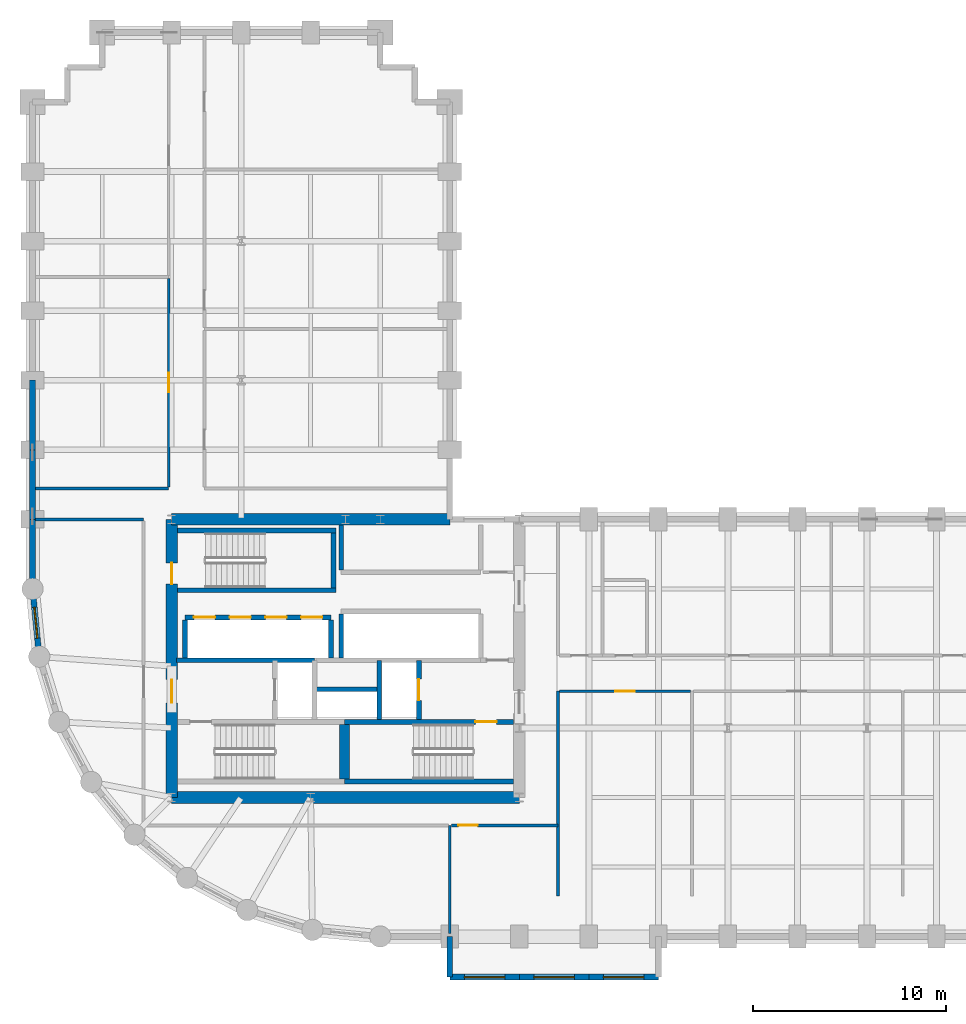
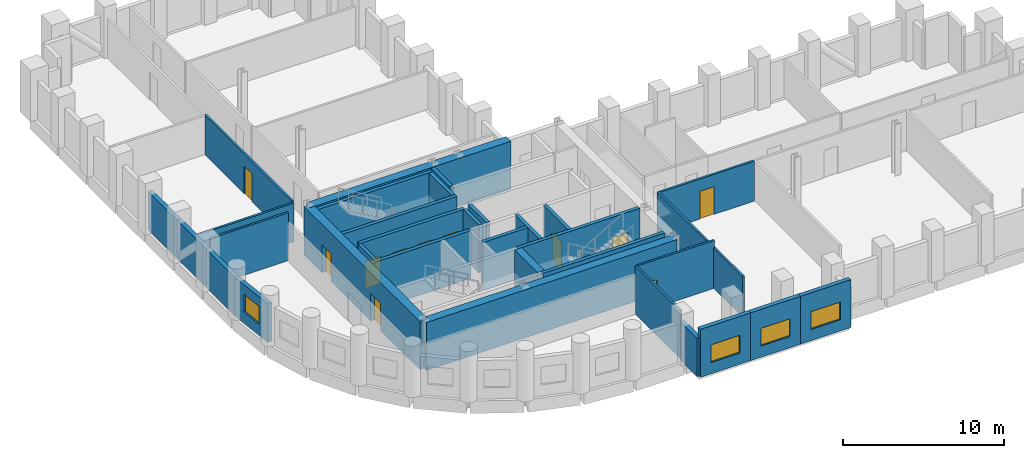
# One storey, part 6 of 9: 33 walls, 11 doors, 4 windows, 15 openings.
"""IFC4 building model written with IfcOpenShell, lengths in metres."""

from ifc_helpers import new_model, si_unit, direction, frame, frame_2d, origin, place, context, subcontext, project, spatial, rectangle, extrude, material, layer, layer_set, type_object, element, fill, save


model = new_model("IFC4")

# Units and contexts
model_context = context("Model", 3, precision=1e-05, world=origin(), true_north=direction((0.0, 1.0)))
body_context = subcontext(model_context, "Body", "Model", "MODEL_VIEW")
ifc_project = project(units=[si_unit("LENGTHUNIT", "METRE"), si_unit("AREAUNIT", "SQUARE_METRE"), si_unit("VOLUMEUNIT", "CUBIC_METRE"), si_unit("PLANEANGLEUNIT", "RADIAN"), si_unit("MASSUNIT", "GRAM", prefix="KILO")], contexts=[model_context])

# Site, building, storey
site_placement = place(None, origin())
site = spatial("IfcSite", under=ifc_project, at=site_placement, CompositionType="ELEMENT")
building_placement = place(site_placement, origin())
building = spatial("IfcBuilding", under=site, at=building_placement, Name="Solnavia Interchange Tower", CompositionType="ELEMENT")
storey_placement = place(building_placement, frame((0.0, 0.0, 59.10009765625)))
storey = spatial("IfcBuildingStorey", under=building, at=storey_placement, Name="L14", CompositionType="ELEMENT", Elevation=59.10009765625)

# Wall
ifc_material_1 = material(Name="Concrete C40/50", Category="concrete")
ifc_layer_1 = layer(ifc_material_1, 0.300048828125)
ifc_layer_set_1 = layer_set([ifc_layer_1], Name="Concrete C40/50")
wall_type_1 = type_object("IfcWallType", Name="Wall-ExtSpandrel-300", PredefinedType="STANDARD", material=ifc_layer_set_1)
wall_1_placement = place(storey_placement, frame((28.800048828125, 1.5, 0.0), z_axis=(0.0, 0.0, 1.0), x_axis=(0.0, 1.0, 0.0)))
element("IfcWall", 1, at=wall_1_placement, inside=storey, type_object=wall_type_1, Name="EXW-L14-02 Exterior precast spandrel wall", PredefinedType="STANDARD", context=body_context, shape_type="SweptSolid", body=[
    extrude(rectangle(XDim=2.10009765625, YDim=0.300048828125, at=frame_2d((1.050048828125, 0.0))), origin(), (0.0, 0.0, 1.0), 2.929931640625),
])

# Wall, opening, window
wall_2_placement = place(storey_placement, frame((32.39990234375, 1.5, 0.0), z_axis=(0.0, 0.0, 1.0), x_axis=(-1.0, 0.0, 0.0)))
wall_2 = element("IfcWall", 2, at=wall_2_placement, inside=storey, type_object=wall_type_1, Name="EXW-L14-03 Exterior precast spandrel wall", PredefinedType="STANDARD", context=body_context, shape_type="SweptSolid", body=[
    extrude(rectangle(XDim=3.599853515625, YDim=0.300048828125, at=frame_2d((1.7998046875, 0.0))), origin(), (0.0, 0.0, 1.0), 3.635009765625),
])
opening_1_placement = place(wall_2_placement, frame((0.75, 0.0, 0.85009765625)))
opening_1 = element("IfcOpeningElement", 3, at=opening_1_placement, cuts=wall_2, Name="Opening WIN-01", PredefinedType="OPENING", context=body_context, shape_type="SweptSolid", body=[
    extrude(rectangle(XDim=2.10009765625, YDim=1.35009765625, at=frame_2d((1.050048828125, 0.675048828125))), frame((0.0, 0.16015625, 0.0), z_axis=(0.0, -1.0, 0.0), x_axis=(1.0, 0.0, 0.0)), (0.0, 0.0, 1.0), 0.320068359375),
])
ifc_material_2 = material(Name="Thermal-Break Aluminium & Low-E Glass", Category="aluminium")
window_type_1 = type_object("IfcWindowType", Name="Window-Ribbon-2100x1350", PartitioningType="SINGLE_PANEL", PredefinedType="WINDOW", material=ifc_material_2)
window_1_placement = place(opening_1_placement, origin())
window_1 = element("IfcWindow", 4, at=window_1_placement, inside=storey, type_object=window_type_1, Name="WIN-L14-03 Facade ribbon window", OverallHeight=1.35009765625, OverallWidth=2.10009765625, PartitioningType="SINGLE_PANEL", PredefinedType="WINDOW", context=body_context, shape_type="SweptSolid", body=[
    extrude(rectangle(XDim=2.10009765625, YDim=1.35009765625, at=frame_2d((1.050048828125, 0.675048828125))), frame((0.0, 0.030029296875, 0.0), z_axis=(0.0, -1.0, 0.0), x_axis=(1.0, 0.0, 0.0)), (0.0, 0.0, 1.0), 0.06005859375),
])
fill(opening_1, window_1)

wall_3_placement = place(storey_placement, frame((36.0, 1.5, 0.0), z_axis=(0.0, 0.0, 1.0), x_axis=(-1.0, 0.0, 0.0)))
wall_3 = element("IfcWall", 5, at=wall_3_placement, inside=storey, type_object=wall_type_1, Name="EXW-L14-04 Exterior precast spandrel wall", PredefinedType="STANDARD", context=body_context, shape_type="SweptSolid", body=[
    extrude(rectangle(XDim=3.60009765625, YDim=0.300048828125, at=frame_2d((1.800048828125, 0.0))), origin(), (0.0, 0.0, 1.0), 3.635009765625),
])
opening_2_placement = place(wall_3_placement, frame((0.75, 0.0, 0.85009765625)))
opening_2 = element("IfcOpeningElement", 6, at=opening_2_placement, cuts=wall_3, Name="Opening WIN-01", PredefinedType="OPENING", context=body_context, shape_type="SweptSolid", body=[
    extrude(rectangle(XDim=2.10009765625, YDim=1.35009765625, at=frame_2d((1.050048828125, 0.675048828125))), frame((0.0, 0.16015625, 0.0), z_axis=(0.0, -1.0, 0.0), x_axis=(1.0, 0.0, 0.0)), (0.0, 0.0, 1.0), 0.320068359375),
])
window_2_placement = place(opening_2_placement, origin())
window_2 = element("IfcWindow", 7, at=window_2_placement, inside=storey, type_object=window_type_1, Name="WIN-L14-04 Facade ribbon window", OverallHeight=1.35009765625, OverallWidth=2.10009765625, PartitioningType="SINGLE_PANEL", PredefinedType="WINDOW", context=body_context, shape_type="SweptSolid", body=[
    extrude(rectangle(XDim=2.10009765625, YDim=1.35009765625, at=frame_2d((1.050048828125, 0.675048828125))), frame((0.0, 0.030029296875, 0.0), z_axis=(0.0, -1.0, 0.0), x_axis=(1.0, 0.0, 0.0)), (0.0, 0.0, 1.0), 0.06005859375),
])
fill(opening_2, window_2)

wall_4_placement = place(storey_placement, frame((39.60009765625, 1.5, 0.0), z_axis=(0.0, 0.0, 1.0), x_axis=(-1.0, 0.0, 0.0)))
wall_4 = element("IfcWall", 8, at=wall_4_placement, inside=storey, type_object=wall_type_1, Name="EXW-L14-05 Exterior precast spandrel wall", PredefinedType="STANDARD", context=body_context, shape_type="SweptSolid", body=[
    extrude(rectangle(XDim=3.60009765625, YDim=0.300048828125, at=frame_2d((1.800048828125, 0.0))), origin(), (0.0, 0.0, 1.0), 3.635009765625),
])
opening_3_placement = place(wall_4_placement, frame((0.75, 0.0, 0.85009765625)))
opening_3 = element("IfcOpeningElement", 9, at=opening_3_placement, cuts=wall_4, Name="Opening WIN-01", PredefinedType="OPENING", context=body_context, shape_type="SweptSolid", body=[
    extrude(rectangle(XDim=2.10009765625, YDim=1.35009765625, at=frame_2d((1.050048828125, 0.675048828125))), frame((0.0, 0.16015625, 0.0), z_axis=(0.0, -1.0, 0.0), x_axis=(1.0, 0.0, 0.0)), (0.0, 0.0, 1.0), 0.320068359375),
])
window_3_placement = place(opening_3_placement, origin())
window_3 = element("IfcWindow", 10, at=window_3_placement, inside=storey, type_object=window_type_1, Name="WIN-L14-05 Facade ribbon window", OverallHeight=1.35009765625, OverallWidth=2.10009765625, PartitioningType="SINGLE_PANEL", PredefinedType="WINDOW", context=body_context, shape_type="SweptSolid", body=[
    extrude(rectangle(XDim=2.10009765625, YDim=1.35009765625, at=frame_2d((1.050048828125, 0.675048828125))), frame((0.0, 0.030029296875, 0.0), z_axis=(0.0, -1.0, 0.0), x_axis=(1.0, 0.0, 0.0)), (0.0, 0.0, 1.0), 0.06005859375),
])
fill(opening_3, window_3)

# Walls
wall_5_placement = place(storey_placement, frame((7.199951171875, 28.800048828125, 0.0), z_axis=(0.0, 0.0, 1.0), x_axis=(0.0, 1.0, 0.0)))
element("IfcWall", 11, at=wall_5_placement, inside=storey, type_object=wall_type_1, Name="EXW-L14-54 Exterior precast spandrel wall", PredefinedType="STANDARD", context=body_context, shape_type="SweptSolid", body=[
    extrude(rectangle(XDim=3.599853515625, YDim=0.300048828125, at=frame_2d((1.7998046875, 0.0))), origin(), (0.0, 0.0, 1.0), 2.929931640625),
])
wall_6_placement = place(storey_placement, frame((7.199951171875, 25.199951171875, 0.0), z_axis=(0.0, 0.0, 1.0), x_axis=(0.0, 1.0, 0.0)))
element("IfcWall", 12, at=wall_6_placement, inside=storey, type_object=wall_type_1, Name="EXW-L14-55 Exterior precast spandrel wall", PredefinedType="STANDARD", context=body_context, shape_type="SweptSolid", body=[
    extrude(rectangle(XDim=3.60009765625, YDim=0.300048828125, at=frame_2d((1.800048828125, 0.0))), origin(), (0.0, 0.0, 1.0), 2.929931640625),
])
wall_7_placement = place(storey_placement, frame((7.199951171875, 21.60009765625, 0.0), z_axis=(0.0, 0.0, 1.0), x_axis=(0.0, 1.0, 0.0)))
element("IfcWall", 13, at=wall_7_placement, inside=storey, type_object=wall_type_1, Name="EXW-L14-56 Exterior precast spandrel wall", PredefinedType="STANDARD", context=body_context, shape_type="SweptSolid", body=[
    extrude(rectangle(XDim=3.599853515625, YDim=0.300048828125, at=frame_2d((1.7998046875, 0.0))), origin(), (0.0, 0.0, 1.0), 2.929931640625),
])

# Wall, opening, window
wall_8_placement = place(storey_placement, frame((7.5458984375, 18.087890625, 0.0), z_axis=(0.0, 0.0, 1.0), x_axis=(-0.09802417461, 0.995184033831, 0.0)))
wall_8 = element("IfcWall", 14, at=wall_8_placement, inside=storey, type_object=wall_type_1, Name="EXW-L14-57 Exterior precast spandrel wall", PredefinedType="STANDARD", context=body_context, shape_type="SweptSolid", body=[
    extrude(rectangle(XDim=3.529296875, YDim=0.300048828125, at=frame_2d((1.7646484375, 0.0))), origin(), (0.0, 0.0, 1.0), 2.929931640625),
])
opening_4_placement = place(wall_8_placement, frame((0.965087890625, 0.0, 0.85009765625)))
opening_4 = element("IfcOpeningElement", 15, at=opening_4_placement, cuts=wall_8, Name="Opening WIN-04", PredefinedType="OPENING", context=body_context, shape_type="SweptSolid", body=[
    extrude(rectangle(XDim=1.60009765625, YDim=1.35009765625, at=frame_2d((0.800048828125, 0.675048828125))), frame((0.0, 0.16015625, 0.0), z_axis=(0.0, -1.0, 0.0), x_axis=(1.0, 0.0, 0.0)), (0.0, 0.0, 1.0), 0.320068359375),
])
window_type_2 = type_object("IfcWindowType", Name="Window-Drum-1600x1350", PartitioningType="SINGLE_PANEL", PredefinedType="WINDOW", material=ifc_material_2)
window_4_placement = place(opening_4_placement, origin())
window_4 = element("IfcWindow", 16, at=window_4_placement, inside=storey, type_object=window_type_2, Name="WIN-L14-57 Facade ribbon window", OverallHeight=1.35009765625, OverallWidth=1.60009765625, PartitioningType="SINGLE_PANEL", PredefinedType="WINDOW", context=body_context, shape_type="SweptSolid", body=[
    extrude(rectangle(XDim=1.60009765625, YDim=1.35009765625, at=frame_2d((0.800048828125, 0.675048828125))), frame((0.0, 0.030029296875, 0.0), z_axis=(0.0, -1.0, 0.0), x_axis=(1.0, 0.0, 0.0)), (0.0, 0.0, 1.0), 0.06005859375),
])
fill(opening_4, window_4)

# Walls
ifc_material_3 = material(Name="Gypsum Plasterboard & Steel Stud", Category="steel")
ifc_layer_2 = layer(ifc_material_3, 0.14990234375)
ifc_layer_set_2 = layer_set([ifc_layer_2], Name="Gypsum Plasterboard & Steel Stud")
wall_type_2 = type_object("IfcWallType", Name="Wall-Partition-150", PredefinedType="PARTITIONING", material=ifc_layer_set_2)
wall_9_placement = place(storey_placement, frame((7.35400390625, 25.199951171875, 0.0), z_axis=(0.0, 0.0, 1.0), x_axis=(1.0, 0.0, 0.0)))
element("IfcWall", 17, at=wall_9_placement, inside=storey, type_object=wall_type_2, Name="PTW-L14-07 Interior partition wall", PredefinedType="PARTITIONING", context=body_context, shape_type="SweptSolid", body=[
    extrude(rectangle(XDim=5.595947265625, YDim=0.14990234375, at=frame_2d((2.7978515625, 0.0))), origin(), (0.0, 0.0, 1.0), 3.635009765625),
])
wall_10_placement = place(storey_placement, frame((28.800048828125, 9.35009765625, 0.0), z_axis=(0.0, 0.0, 1.0), x_axis=(0.0, -1.0, 0.0)))
element("IfcWall", 18, at=wall_10_placement, inside=storey, type_object=wall_type_2, Name="PTW-L14-08 Interior partition wall", PredefinedType="PARTITIONING", context=body_context, shape_type="SweptSolid", body=[
    extrude(rectangle(XDim=5.59619140625, YDim=0.14990234375, at=frame_2d((2.798095703125, 0.0))), origin(), (0.0, 0.0, 1.0), 3.635009765625),
])

# Wall, opening, door
wall_11_placement = place(storey_placement, frame((28.87890625, 9.35009765625, 0.0), z_axis=(0.0, 0.0, 1.0), x_axis=(1.0, 0.0, 0.0)))
wall_11 = element("IfcWall", 19, at=wall_11_placement, inside=storey, type_object=wall_type_2, Name="PTW-L14-11 Interior partition wall", PredefinedType="PARTITIONING", context=body_context, shape_type="SweptSolid", body=[
    extrude(rectangle(XDim=5.52099609375, YDim=0.14990234375, at=frame_2d((2.760498046875, 0.0))), origin(), (0.0, 0.0, 1.0), 3.635009765625),
])
opening_5_placement = place(wall_11_placement, frame((0.360107421875, 0.0, 0.0)))
opening_5 = element("IfcOpeningElement", 20, at=opening_5_placement, cuts=wall_11, Name="Opening DR-07", PredefinedType="OPENING", context=body_context, shape_type="SweptSolid", body=[
    extrude(rectangle(XDim=1.0, YDim=2.10009765625, at=frame_2d((0.5, 1.050048828125))), frame((0.0, 0.0849609375, 0.0), z_axis=(0.0, -1.0, 0.0), x_axis=(1.0, 0.0, 0.0)), (0.0, 0.0, 1.0), 0.169921875),
])
ifc_material_4 = material(Name="Timber & Acoustic Glazed Office Door", Category="wood")
door_type_1 = type_object("IfcDoorType", Name="Door-Office-1000x2100", OperationType="SINGLE_SWING_RIGHT", PredefinedType="DOOR", material=ifc_material_4)
door_1_placement = place(opening_5_placement, origin())
door_1 = element("IfcDoor", 21, at=door_1_placement, inside=storey, type_object=door_type_1, Name="DR-L14-04 Interior room door", OperationType="SINGLE_SWING_LEFT", OverallHeight=2.10009765625, OverallWidth=1.0, PredefinedType="DOOR", context=body_context, shape_type="SweptSolid", body=[
    extrude(rectangle(XDim=1.0, YDim=2.10009765625, at=frame_2d((0.5, 1.050048828125))), frame((0.0, 0.02490234375, 0.0), z_axis=(0.0, -1.0, 0.0), x_axis=(1.0, 0.0, 0.0)), (0.0, 0.0, 1.0), 0.050048828125),
])
fill(opening_5, door_1)

# Wall
wall_12_placement = place(storey_placement, frame((34.39990234375, 5.699951171875, 0.0), z_axis=(0.0, 0.0, 1.0), x_axis=(0.0, 1.0, 0.0)))
element("IfcWall", 22, at=wall_12_placement, inside=storey, type_object=wall_type_2, Name="PTW-L14-12 Interior partition wall", PredefinedType="PARTITIONING", context=body_context, shape_type="SweptSolid", body=[
    extrude(rectangle(XDim=10.60009765625, YDim=0.14990234375, at=frame_2d((5.300048828125, 0.0))), origin(), (0.0, 0.0, 1.0), 3.079833984375),
])

# Wall, opening, door
wall_13_placement = place(storey_placement, frame((34.47900390625, 16.300048828125, 0.0), z_axis=(0.0, 0.0, 1.0), x_axis=(1.0, 0.0, 0.0)))
wall_13 = element("IfcWall", 23, at=wall_13_placement, inside=storey, type_object=wall_type_2, Name="PTW-L14-14 Interior partition wall", PredefinedType="PARTITIONING", context=body_context, shape_type="SweptSolid", body=[
    extrude(rectangle(XDim=6.7919921875, YDim=0.14990234375, at=frame_2d((3.39599609375, 0.0))), origin(), (0.0, 0.0, 1.0), 3.039794921875),
])
opening_6_placement = place(wall_13_placement, frame((2.89599609375, 0.0, 0.0)))
opening_6 = element("IfcOpeningElement", 24, at=opening_6_placement, cuts=wall_13, Name="Opening DR-07", PredefinedType="OPENING", context=body_context, shape_type="SweptSolid", body=[
    extrude(rectangle(XDim=1.0, YDim=2.10009765625, at=frame_2d((0.5, 1.050048828125))), frame((0.0, 0.0849609375, 0.0), z_axis=(0.0, -1.0, 0.0), x_axis=(1.0, 0.0, 0.0)), (0.0, 0.0, 1.0), 0.169921875),
])
door_2_placement = place(opening_6_placement, origin())
door_2 = element("IfcDoor", 25, at=door_2_placement, inside=storey, type_object=door_type_1, Name="DR-L14-05 Interior room door", OperationType="SINGLE_SWING_LEFT", OverallHeight=2.10009765625, OverallWidth=1.0, PredefinedType="DOOR", context=body_context, shape_type="SweptSolid", body=[
    extrude(rectangle(XDim=1.0, YDim=2.10009765625, at=frame_2d((0.5, 1.050048828125))), frame((0.0, 0.02490234375, 0.0), z_axis=(0.0, -1.0, 0.0), x_axis=(1.0, 0.0, 0.0)), (0.0, 0.0, 1.0), 0.050048828125),
])
fill(opening_6, door_2)

# Wall
wall_14_placement = place(storey_placement, frame((7.35400390625, 26.800048828125, 0.0), z_axis=(0.0, 0.0, 1.0), x_axis=(1.0, 0.0, 0.0)))
element("IfcWall", 26, at=wall_14_placement, inside=storey, type_object=wall_type_2, Name="PTW-L14-21 Interior partition wall", PredefinedType="PARTITIONING", context=body_context, shape_type="SweptSolid", body=[
    extrude(rectangle(XDim=6.89599609375, YDim=0.14990234375, at=frame_2d((3.447998046875, 0.0))), origin(), (0.0, 0.0, 1.0), 2.929931640625),
])

# Wall, opening, door
wall_15_placement = place(storey_placement, frame((14.25, 26.87890625, 0.0), z_axis=(0.0, 0.0, 1.0), x_axis=(0.0, 1.0, 0.0)))
wall_15 = element("IfcWall", 27, at=wall_15_placement, inside=storey, type_object=wall_type_2, Name="PTW-L14-23 Interior partition wall", PredefinedType="PARTITIONING", context=body_context, shape_type="SweptSolid", body=[
    extrude(rectangle(XDim=10.7919921875, YDim=0.14990234375, at=frame_2d((5.39599609375, 0.0))), origin(), (0.0, 0.0, 1.0), 3.02978515625),
])
opening_7_placement = place(wall_15_placement, frame((4.89599609375, 0.0, 0.0)))
opening_7 = element("IfcOpeningElement", 28, at=opening_7_placement, cuts=wall_15, Name="Opening DR-07", PredefinedType="OPENING", context=body_context, shape_type="SweptSolid", body=[
    extrude(rectangle(XDim=1.0, YDim=2.10009765625, at=frame_2d((0.5, 1.050048828125))), frame((0.0, 0.0849609375, 0.0), z_axis=(0.0, -1.0, 0.0), x_axis=(1.0, 0.0, 0.0)), (0.0, 0.0, 1.0), 0.169921875),
])
door_3_placement = place(opening_7_placement, origin())
door_3 = element("IfcDoor", 29, at=door_3_placement, inside=storey, type_object=door_type_1, Name="DR-L14-10 Interior room door", OperationType="SINGLE_SWING_RIGHT", OverallHeight=2.10009765625, OverallWidth=1.0, PredefinedType="DOOR", context=body_context, shape_type="SweptSolid", body=[
    extrude(rectangle(XDim=1.0, YDim=2.10009765625, at=frame_2d((0.5, 1.050048828125))), frame((0.0, 0.02490234375, 0.0), z_axis=(0.0, -1.0, 0.0), x_axis=(1.0, 0.0, 0.0)), (0.0, 0.0, 1.0), 0.050048828125),
])
fill(opening_7, door_3)

# Wall
ifc_layer_3 = layer(ifc_material_1, 0.25)
ifc_layer_set_3 = layer_set([ifc_layer_3], Name="Concrete C40/50")
wall_type_3 = type_object("IfcWallType", Name="Wall-ShaftCore-250", PredefinedType="SHEAR", material=ifc_layer_set_3)
wall_16_placement = place(storey_placement, frame((23.35009765625, 11.625, 0.0), z_axis=(0.0, 0.0, 1.0), x_axis=(1.0, 0.0, 0.0)))
element("IfcWall", 30, at=wall_16_placement, inside=storey, type_object=wall_type_3, Name="SHW-L14-ST2S Core shear wall", PredefinedType="SHEAR", context=body_context, shape_type="SweptSolid", body=[
    extrude(rectangle(XDim=8.75, YDim=0.25, at=frame_2d((4.375, 0.0))), origin(), (0.0, 0.0, 1.0), 3.64990234375),
])

# Wall, opening, door
wall_17_placement = place(storey_placement, frame((23.35009765625, 14.715087890625, 0.0), z_axis=(0.0, 0.0, 1.0), x_axis=(1.0, 0.0, 0.0)))
wall_17 = element("IfcWall", 31, at=wall_17_placement, inside=storey, type_object=wall_type_3, Name="SHW-L14-ST2N Core shear wall", PredefinedType="SHEAR", context=body_context, shape_type="SweptSolid", body=[
    extrude(rectangle(XDim=8.75, YDim=0.25, at=frame_2d((4.375, 0.0))), origin(), (0.0, 0.0, 1.0), 3.64990234375),
])
opening_8_placement = place(wall_17_placement, frame((6.77490234375, 0.0, 0.0)))
opening_8 = element("IfcOpeningElement", 32, at=opening_8_placement, cuts=wall_17, Name="Opening DR-01", PredefinedType="OPENING", context=body_context, shape_type="SweptSolid", body=[
    extrude(rectangle(XDim=1.10009765625, YDim=2.10009765625, at=frame_2d((0.550048828125, 1.050048828125))), frame((0.0, 0.135009765625, 0.0), z_axis=(0.0, -1.0, 0.0), x_axis=(1.0, 0.0, 0.0)), (0.0, 0.0, 1.0), 0.27001953125),
])
ifc_material_5 = material(Name="Steel Fire-Rated Leaf & Frame", Category="steel")
door_type_2 = type_object("IfcDoorType", Name="Door-StairFire-1100x2100", OperationType="SINGLE_SWING_LEFT", PredefinedType="DOOR", material=ifc_material_5)
door_4_placement = place(opening_8_placement, origin())
door_4 = element("IfcDoor", 33, at=door_4_placement, inside=storey, type_object=door_type_2, Name="DR-L14-ST2 Core fire door", OperationType="SINGLE_SWING_LEFT", OverallHeight=2.10009765625, OverallWidth=1.10009765625, PredefinedType="DOOR", context=body_context, shape_type="SweptSolid", body=[
    extrude(rectangle(XDim=1.10009765625, YDim=2.10009765625, at=frame_2d((0.550048828125, 1.050048828125))), frame((0.0, 0.02490234375, 0.0), z_axis=(0.0, -1.0, 0.0), x_axis=(1.0, 0.0, 0.0)), (0.0, 0.0, 1.0), 0.050048828125),
])
fill(opening_8, door_4)

# Walls
for number, where, z_axis, x_axis, name in (
    (34, (14.699951171875, 21.52490234375, 0.0), (0.0, 0.0, 1.0), (1.0, 0.0, 0.0), "SHW-L14-ST3S Core shear wall"),
    (35, (14.699951171875, 24.614990234375, 0.0), (0.0, 0.0, 1.0), (1.0, 0.0, 0.0), "SHW-L14-ST3N Core shear wall"),
):
    element("IfcWall", number, at=place(storey_placement, frame(where, z_axis=z_axis, x_axis=x_axis)), inside=storey, type_object=wall_type_3, Name=name, PredefinedType="SHEAR", context=body_context, shape_type="SweptSolid", body=[
        extrude(rectangle(XDim=8.199951171875, YDim=0.25, at=frame_2d((4.10009765625, 0.0))), origin(), (0.0, 0.0, 1.0), 3.64990234375),
    ])
wall_18_placement = place(storey_placement, frame((22.77490234375, 21.64990234375, 0.0), z_axis=(0.0, 0.0, 1.0), x_axis=(0.0, 1.0, 0.0)))
element("IfcWall", 36, at=wall_18_placement, inside=storey, type_object=wall_type_3, Name="SHW-L14-ST3E Core shear wall", PredefinedType="SHEAR", context=body_context, shape_type="SweptSolid", body=[
    extrude(rectangle(XDim=2.840087890625, YDim=0.25, at=frame_2d((1.419921875, 0.0))), origin(), (0.0, 0.0, 1.0), 3.64990234375),
])
ifc_layer_4 = layer(ifc_material_1, 0.25)
ifc_layer_set_4 = layer_set([ifc_layer_4], Name="Concrete C40/50")
wall_type_4 = type_object("IfcWallType", Name="Wall-ShaftPart-250", PredefinedType="PARTITIONING", material=ifc_layer_set_4)
wall_19_placement = place(storey_placement, frame((14.64990234375, 17.89990234375, 0.0), z_axis=(0.0, 0.0, 1.0), x_axis=(1.0, 0.0, 0.0)))
element("IfcWall", 37, at=wall_19_placement, inside=storey, type_object=wall_type_4, Name="SHW-L14-FFLW-N Core shaft wall", PredefinedType="PARTITIONING", context=body_context, shape_type="SweptSolid", body=[
    extrude(rectangle(XDim=7.150146484375, YDim=0.25, at=frame_2d((3.5751953125, 0.0))), origin(), (0.0, 0.0, 1.0), 3.635009765625),
])
wall_20_placement = place(storey_placement, frame((25.14990234375, 14.840087890625, 0.0), z_axis=(0.0, 0.0, 1.0), x_axis=(0.0, 1.0, 0.0)))
element("IfcWall", 38, at=wall_20_placement, inside=storey, type_object=wall_type_4, Name="SHW-L14-FFL2-W Core shaft wall", PredefinedType="PARTITIONING", context=body_context, shape_type="SweptSolid", body=[
    extrude(rectangle(XDim=3.059814453125, YDim=0.25, at=frame_2d((1.52978515625, 0.0))), origin(), (0.0, 0.0, 1.0), 3.635009765625),
])

# Wall, opening, door
wall_21_placement = place(storey_placement, frame((27.199951171875, 14.840087890625, 0.0), z_axis=(0.0, 0.0, 1.0), x_axis=(0.0, 1.0, 0.0)))
wall_21 = element("IfcWall", 39, at=wall_21_placement, inside=storey, type_object=wall_type_4, Name="SHW-L14-FFL2-E Core shaft wall", PredefinedType="PARTITIONING", context=body_context, shape_type="SweptSolid", body=[
    extrude(rectangle(XDim=3.059814453125, YDim=0.25, at=frame_2d((1.52978515625, 0.0))), origin(), (0.0, 0.0, 1.0), 3.635009765625),
])
opening_9_placement = place(wall_21_placement, frame((0.97998046875, 0.0, 0.0)))
opening_9 = element("IfcOpeningElement", 40, at=opening_9_placement, cuts=wall_21, Name="Opening LD-01", PredefinedType="OPENING", context=body_context, shape_type="SweptSolid", body=[
    extrude(rectangle(XDim=1.10009765625, YDim=2.10009765625, at=frame_2d((0.550048828125, 1.050048828125))), frame((0.0, 0.135009765625, 0.0), z_axis=(0.0, -1.0, 0.0), x_axis=(1.0, 0.0, 0.0)), (0.0, 0.0, 1.0), 0.27001953125),
])
ifc_material_6 = material(Name="Brushed Stainless Steel Sliding Door", Category="steel")
door_type_3 = type_object("IfcDoorType", Name="Door-LiftLanding-1100x2100", OperationType="SLIDING_TO_LEFT", PredefinedType="DOOR", material=ifc_material_6)
door_5_placement = place(opening_9_placement, origin())
door_5 = element("IfcDoor", 41, at=door_5_placement, inside=storey, type_object=door_type_3, Name="LD-L14-FFL2 Lift landing sliding door", OperationType="SLIDING_TO_LEFT", OverallHeight=2.10009765625, OverallWidth=1.10009765625, PredefinedType="DOOR", context=body_context, shape_type="SweptSolid", body=[
    extrude(rectangle(XDim=1.10009765625, YDim=2.10009765625, at=frame_2d((0.550048828125, 1.050048828125))), frame((0.0, 0.02490234375, 0.0), z_axis=(0.0, -1.0, 0.0), x_axis=(1.0, 0.0, 0.0)), (0.0, 0.0, 1.0), 0.050048828125),
])
fill(opening_9, door_5)

# Wall
wall_22_placement = place(storey_placement, frame((21.800048828125, 16.39990234375, 0.0), z_axis=(0.0, 0.0, 1.0), x_axis=(1.0, 0.0, 0.0)))
element("IfcWall", 42, at=wall_22_placement, inside=storey, type_object=wall_type_4, Name="SHW-L14-MEP-N Core shaft wall", PredefinedType="PARTITIONING", context=body_context, shape_type="SweptSolid", body=[
    extrude(rectangle(XDim=3.349853515625, YDim=0.25, at=frame_2d((1.6748046875, 0.0))), origin(), (0.0, 0.0, 1.0), 3.635009765625),
])

# Wall, openings, doors
wall_23_placement = place(storey_placement, frame((15.10009765625, 20.125, 0.0), z_axis=(0.0, 0.0, 1.0), x_axis=(1.0, 0.0, 0.0)))
wall_23 = element("IfcWall", 43, at=wall_23_placement, inside=storey, type_object=wall_type_4, Name="SHW-L14-B1N Core shaft wall", PredefinedType="PARTITIONING", context=body_context, shape_type="SweptSolid", body=[
    extrude(rectangle(XDim=7.5498046875, YDim=0.25, at=frame_2d((3.77490234375, 0.0))), origin(), (0.0, 0.0, 1.0), 3.635009765625),
])
opening_10_placement = place(wall_23_placement, frame((0.449951171875, 0.0, 0.0)))
opening_10 = element("IfcOpeningElement", 44, at=opening_10_placement, cuts=wall_23, Name="Opening LD-01", PredefinedType="OPENING", context=body_context, shape_type="SweptSolid", body=[
    extrude(rectangle(XDim=1.10009765625, YDim=2.10009765625, at=frame_2d((0.550048828125, 1.050048828125))), frame((0.0, 0.135009765625, 0.0), z_axis=(0.0, -1.0, 0.0), x_axis=(1.0, 0.0, 0.0)), (0.0, 0.0, 1.0), 0.27001953125),
])
opening_11_placement = place(wall_23_placement, frame((2.300048828125, 0.0, 0.0)))
opening_11 = element("IfcOpeningElement", 45, at=opening_11_placement, cuts=wall_23, Name="Opening LD-01", PredefinedType="OPENING", context=body_context, shape_type="SweptSolid", body=[
    extrude(rectangle(XDim=1.10009765625, YDim=2.10009765625, at=frame_2d((0.550048828125, 1.050048828125))), frame((0.0, 0.135009765625, 0.0), z_axis=(0.0, -1.0, 0.0), x_axis=(1.0, 0.0, 0.0)), (0.0, 0.0, 1.0), 0.27001953125),
])
opening_12_placement = place(wall_23_placement, frame((4.14990234375, 0.0, 0.0)))
opening_12 = element("IfcOpeningElement", 46, at=opening_12_placement, cuts=wall_23, Name="Opening LD-01", PredefinedType="OPENING", context=body_context, shape_type="SweptSolid", body=[
    extrude(rectangle(XDim=1.10009765625, YDim=2.10009765625, at=frame_2d((0.550048828125, 1.050048828125))), frame((0.0, 0.135009765625, 0.0), z_axis=(0.0, -1.0, 0.0), x_axis=(1.0, 0.0, 0.0)), (0.0, 0.0, 1.0), 0.27001953125),
])
opening_13_placement = place(wall_23_placement, frame((6.0, 0.0, 0.0)))
opening_13 = element("IfcOpeningElement", 47, at=opening_13_placement, cuts=wall_23, Name="Opening LD-01", PredefinedType="OPENING", context=body_context, shape_type="SweptSolid", body=[
    extrude(rectangle(XDim=1.10009765625, YDim=2.10009765625, at=frame_2d((0.550048828125, 1.050048828125))), frame((0.0, 0.135009765625, 0.0), z_axis=(0.0, -1.0, 0.0), x_axis=(1.0, 0.0, 0.0)), (0.0, 0.0, 1.0), 0.27001953125),
])
door_6_placement = place(opening_10_placement, origin())
door_6 = element("IfcDoor", 48, at=door_6_placement, inside=storey, type_object=door_type_3, Name="LD-L14-B1-1 Lift landing sliding door", OperationType="SLIDING_TO_LEFT", OverallHeight=2.10009765625, OverallWidth=1.10009765625, PredefinedType="DOOR", context=body_context, shape_type="SweptSolid", body=[
    extrude(rectangle(XDim=1.10009765625, YDim=2.10009765625, at=frame_2d((0.550048828125, 1.050048828125))), frame((0.0, 0.02490234375, 0.0), z_axis=(0.0, -1.0, 0.0), x_axis=(1.0, 0.0, 0.0)), (0.0, 0.0, 1.0), 0.050048828125),
])
fill(opening_10, door_6)
door_7_placement = place(opening_11_placement, origin())
door_7 = element("IfcDoor", 49, at=door_7_placement, inside=storey, type_object=door_type_3, Name="LD-L14-B1-2 Lift landing sliding door", OperationType="SLIDING_TO_LEFT", OverallHeight=2.10009765625, OverallWidth=1.10009765625, PredefinedType="DOOR", context=body_context, shape_type="SweptSolid", body=[
    extrude(rectangle(XDim=1.10009765625, YDim=2.10009765625, at=frame_2d((0.550048828125, 1.050048828125))), frame((0.0, 0.02490234375, 0.0), z_axis=(0.0, -1.0, 0.0), x_axis=(1.0, 0.0, 0.0)), (0.0, 0.0, 1.0), 0.050048828125),
])
fill(opening_11, door_7)
door_8_placement = place(opening_12_placement, origin())
door_8 = element("IfcDoor", 50, at=door_8_placement, inside=storey, type_object=door_type_3, Name="LD-L14-B1-3 Lift landing sliding door", OperationType="SLIDING_TO_LEFT", OverallHeight=2.10009765625, OverallWidth=1.10009765625, PredefinedType="DOOR", context=body_context, shape_type="SweptSolid", body=[
    extrude(rectangle(XDim=1.10009765625, YDim=2.10009765625, at=frame_2d((0.550048828125, 1.050048828125))), frame((0.0, 0.02490234375, 0.0), z_axis=(0.0, -1.0, 0.0), x_axis=(1.0, 0.0, 0.0)), (0.0, 0.0, 1.0), 0.050048828125),
])
fill(opening_12, door_8)
door_9_placement = place(opening_13_placement, origin())
door_9 = element("IfcDoor", 51, at=door_9_placement, inside=storey, type_object=door_type_3, Name="LD-L14-B1-4 Lift landing sliding door", OperationType="SLIDING_TO_LEFT", OverallHeight=2.10009765625, OverallWidth=1.10009765625, PredefinedType="DOOR", context=body_context, shape_type="SweptSolid", body=[
    extrude(rectangle(XDim=1.10009765625, YDim=2.10009765625, at=frame_2d((0.550048828125, 1.050048828125))), frame((0.0, 0.02490234375, 0.0), z_axis=(0.0, -1.0, 0.0), x_axis=(1.0, 0.0, 0.0)), (0.0, 0.0, 1.0), 0.050048828125),
])
fill(opening_13, door_9)

# Walls
for number, where, z_axis, x_axis, name in (
    (52, (15.10009765625, 18.02490234375, 0.0), (0.0, 0.0, 1.0), (0.0, 1.0, 0.0), "SHW-L14-B1W Core shaft wall"),
    (53, (22.64990234375, 18.02490234375, 0.0), (0.0, 0.0, 1.0), (0.0, 1.0, 0.0), "SHW-L14-B1E Core shaft wall"),
):
    element("IfcWall", number, at=place(storey_placement, frame(where, z_axis=z_axis, x_axis=x_axis)), inside=storey, type_object=wall_type_4, Name=name, PredefinedType="PARTITIONING", context=body_context, shape_type="SweptSolid", body=[
        extrude(rectangle(XDim=1.97509765625, YDim=0.25, at=frame_2d((0.987548828125, 0.0))), origin(), (0.0, 0.0, 1.0), 3.635009765625),
    ])
wall_24_placement = place(storey_placement, frame((23.179931640625, 18.02490234375, 0.0), z_axis=(0.0, 0.0, 1.0), x_axis=(0.0, 1.0, 0.0)))
element("IfcWall", 54, at=wall_24_placement, inside=storey, type_object=wall_type_4, Name="SHW-L14-B2W Core shaft wall", PredefinedType="PARTITIONING", context=body_context, shape_type="SweptSolid", body=[
    extrude(rectangle(XDim=2.27001953125, YDim=0.25, at=frame_2d((1.135009765625, 0.0))), origin(), (0.0, 0.0, 1.0), 3.635009765625),
])
wall_25_placement = place(storey_placement, frame((23.179931640625, 22.5849609375, 0.0), z_axis=(0.0, 0.0, 1.0), x_axis=(0.0, 1.0, 0.0)))
element("IfcWall", 55, at=wall_25_placement, inside=storey, type_object=wall_type_4, Name="SHW-L14-B3W Core shaft wall", PredefinedType="PARTITIONING", context=body_context, shape_type="SweptSolid", body=[
    extrude(rectangle(XDim=2.31494140625, YDim=0.25, at=frame_2d((1.157470703125, 0.0))), origin(), (0.0, 0.0, 1.0), 3.635009765625),
])
ifc_material_7 = material(Name="Concrete C60/75", Category="concrete")
ifc_layer_5 = layer(ifc_material_7, 0.5)
ifc_layer_set_5 = layer_set([ifc_layer_5], Name="Concrete C60/75")
wall_type_5 = type_object("IfcWallType", Name="Wall-ShearCore-500", PredefinedType="SHEAR", material=ifc_layer_set_5)
wall_26_placement = place(storey_placement, frame((23.35009765625, 11.75, 0.0), z_axis=(0.0, 0.0, 1.0), x_axis=(0.0, 1.0, 0.0)))
element("IfcWall", 56, at=wall_26_placement, inside=storey, type_object=wall_type_5, Name="SHW-L14-ST12M Core shear wall", PredefinedType="SHEAR", context=body_context, shape_type="SweptSolid", body=[
    extrude(rectangle(XDim=2.840087890625, YDim=0.5, at=frame_2d((1.419921875, 0.0))), origin(), (0.0, 0.0, 1.0), 3.64990234375),
])
ifc_layer_6 = layer(ifc_material_7, 0.60009765625)
ifc_layer_set_6 = layer_set([ifc_layer_6], Name="Concrete C60/75")
wall_type_6 = type_object("IfcWallType", Name="Wall-ShearCore-600", PredefinedType="SHEAR", material=ifc_layer_set_6)
wall_27_placement = place(storey_placement, frame((14.39990234375, 10.800048828125, 0.0), z_axis=(0.0, 0.0, 1.0), x_axis=(1.0, 0.0, 0.0)))
element("IfcWall", 57, at=wall_27_placement, inside=storey, type_object=wall_type_6, Name="CRW-L14-S Core shear wall", PredefinedType="SHEAR", context=body_context, shape_type="SweptSolid", body=[
    extrude(rectangle(XDim=18.0, YDim=0.60009765625, at=frame_2d((9.0, 0.0))), origin(), (0.0, 0.0, 1.0), 3.64990234375),
])
wall_28_placement = place(storey_placement, frame((14.39990234375, 25.199951171875, 0.0), z_axis=(0.0, 0.0, 1.0), x_axis=(1.0, 0.0, 0.0)))
element("IfcWall", 58, at=wall_28_placement, inside=storey, type_object=wall_type_6, Name="CRW-L14-N Core shear wall", PredefinedType="SHEAR", context=body_context, shape_type="SweptSolid", body=[
    extrude(rectangle(XDim=14.400146484375, YDim=0.60009765625, at=frame_2d((7.2001953125, 0.0))), origin(), (0.0, 0.0, 1.0), 3.64990234375),
])

# Wall, openings, doors
wall_29_placement = place(storey_placement, frame((14.39990234375, 10.800048828125, 0.0), z_axis=(0.0, 0.0, 1.0), x_axis=(0.0, 1.0, 0.0)))
wall_29 = element("IfcWall", 59, at=wall_29_placement, inside=storey, type_object=wall_type_6, Name="CRW-L14-W Core shear wall", PredefinedType="SHEAR", context=body_context, shape_type="SweptSolid", body=[
    extrude(rectangle(XDim=14.39990234375, YDim=0.60009765625, at=frame_2d((7.199951171875, 0.0))), origin(), (0.0, 0.0, 1.0), 3.64990234375),
])
opening_14_placement = place(wall_29_placement, frame((11.050048828125, 0.0, 0.0)))
opening_14 = element("IfcOpeningElement", 60, at=opening_14_placement, cuts=wall_29, Name="Opening DR-01", PredefinedType="OPENING", context=body_context, shape_type="SweptSolid", body=[
    extrude(rectangle(XDim=1.10009765625, YDim=2.10009765625, at=frame_2d((0.550048828125, 1.050048828125))), frame((0.0, 0.31005859375, 0.0), z_axis=(0.0, -1.0, 0.0), x_axis=(1.0, 0.0, 0.0)), (0.0, 0.0, 1.0), 0.6201171875),
])
opening_15_placement = place(wall_29_placement, frame((4.89990234375, 0.0, 0.0)))
opening_15 = element("IfcOpeningElement", 61, at=opening_15_placement, cuts=wall_29, Name="Opening DR-02", PredefinedType="OPENING", context=body_context, shape_type="SweptSolid", body=[
    extrude(rectangle(XDim=1.199951171875, YDim=2.10009765625, at=frame_2d((0.60009765625, 1.050048828125))), frame((0.0, 0.31005859375, 0.0), z_axis=(0.0, -1.0, 0.0), x_axis=(1.0, 0.0, 0.0)), (0.0, 0.0, 1.0), 0.6201171875),
])
ifc_material_8 = material(Name="Steel Fire-Rated Vision-Panel Door", Category="steel")
door_type_4 = type_object("IfcDoorType", Name="Door-LobbyFire-1200x2100", OperationType="SINGLE_SWING_RIGHT", PredefinedType="DOOR", material=ifc_material_8)
door_10_placement = place(opening_15_placement, origin())
door_10 = element("IfcDoor", 62, at=door_10_placement, inside=storey, type_object=door_type_4, Name="DR-L14-FFL1W Core fire door", OperationType="SINGLE_SWING_RIGHT", OverallHeight=2.10009765625, OverallWidth=1.199951171875, PredefinedType="DOOR", context=body_context, shape_type="SweptSolid", body=[
    extrude(rectangle(XDim=1.199951171875, YDim=2.10009765625, at=frame_2d((0.60009765625, 1.050048828125))), frame((0.0, 0.02490234375, 0.0), z_axis=(0.0, -1.0, 0.0), x_axis=(1.0, 0.0, 0.0)), (0.0, 0.0, 1.0), 0.050048828125),
])
fill(opening_15, door_10)
door_11_placement = place(opening_14_placement, origin())
door_11 = element("IfcDoor", 63, at=door_11_placement, inside=storey, type_object=door_type_2, Name="DR-L14-ST3 Core fire door", OperationType="SINGLE_SWING_RIGHT", OverallHeight=2.10009765625, OverallWidth=1.10009765625, PredefinedType="DOOR", context=body_context, shape_type="SweptSolid", body=[
    extrude(rectangle(XDim=1.10009765625, YDim=2.10009765625, at=frame_2d((0.550048828125, 1.050048828125))), frame((0.0, 0.02490234375, 0.0), z_axis=(0.0, -1.0, 0.0), x_axis=(1.0, 0.0, 0.0)), (0.0, 0.0, 1.0), 0.050048828125),
])
fill(opening_14, door_11)

save(model, "model.ifc")
